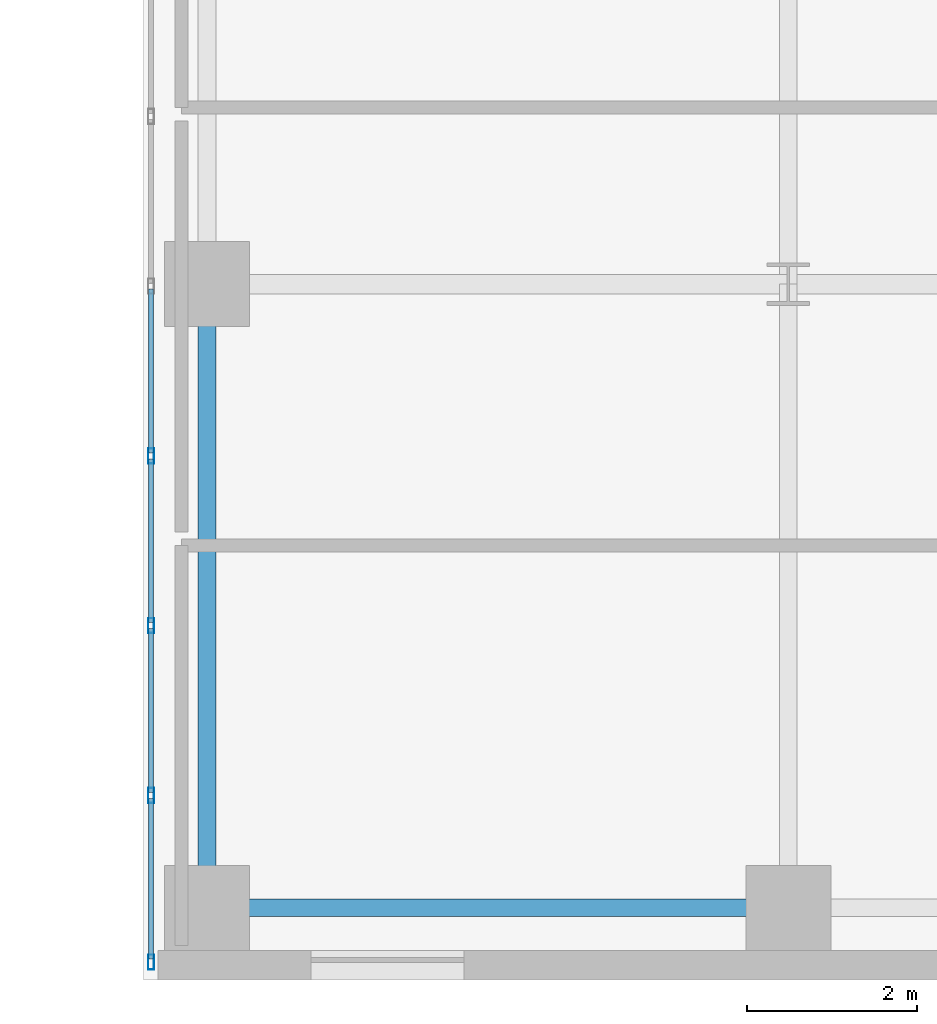
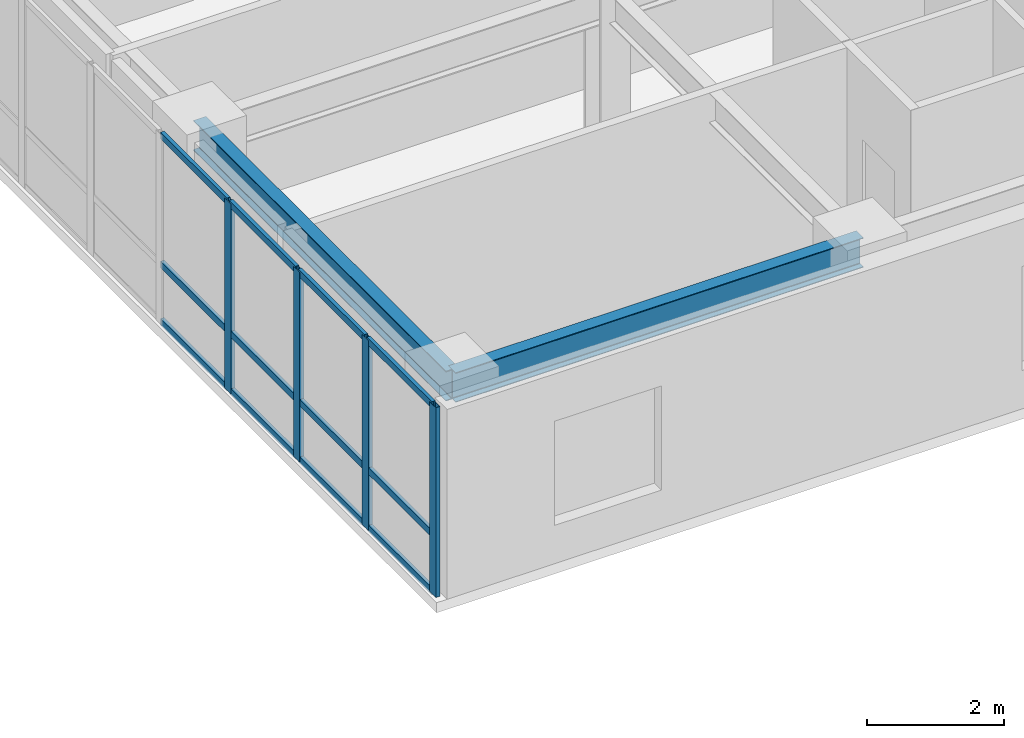
# One storey, part 5 of 17: 16 members, 2 beams, 1 element without a shape of its own.
"""IFC4 building model written with IfcOpenShell, lengths in metres."""

from ifc_helpers import new_model, si_unit, direction, frame, origin, origin_2d, place, context, subcontext, project, spatial, hollow_rectangle, i_section, extrude, source, transform, mapped, material, layer, layer_set, material_profile, profile_set, type_object, type_shapes, element, aggregate, save


model = new_model("IFC4")

# Units and contexts
model_context = context("Model", 3, precision=1e-05, world=origin(), true_north=direction((0.0, 1.0)))
body_context = subcontext(model_context, "Body", "Model", "MODEL_VIEW")
ifc_project = project(units=[si_unit("LENGTHUNIT", "METRE"), si_unit("AREAUNIT", "SQUARE_METRE"), si_unit("VOLUMEUNIT", "CUBIC_METRE"), si_unit("PLANEANGLEUNIT", "RADIAN"), si_unit("MASSUNIT", "GRAM", prefix="KILO")], contexts=[model_context])

# Site, building, storey
site_placement = place(None, origin())
site = spatial("IfcSite", under=ifc_project, at=site_placement, CompositionType="ELEMENT")
building_placement = place(site_placement, origin())
building = spatial("IfcBuilding", under=site, at=building_placement, Name="Tolvann Quenvar Hotel", CompositionType="ELEMENT")
storey_placement = place(building_placement, frame((0.0, 0.0, 49.75)))
storey = spatial("IfcBuildingStorey", under=building, at=storey_placement, Name="L11", CompositionType="ELEMENT", Elevation=49.75)

# Beams
ifc_material_1 = material(Name="Steel Grade 350", Category="steel")
ifc_material_profile_1 = material_profile(ifc_material_1, i_section(OverallWidth=0.208984375, OverallDepth=0.528076171875, WebThickness=0.009521484375, FlangeThickness=0.01318359375, FilletRadius=0.013916015625, at=origin_2d()), Name="530UB82")
ifc_profile_set_1 = profile_set([ifc_material_profile_1], Name="Steel Grade 350")
beam_type_1 = type_object("IfcBeamType", Name="BM_SPAND_530UB82", PredefinedType="SPANDREL", material=ifc_profile_set_1)
shared_shape_1 = source(origin(), body_context, "Body", "SweptSolid", [
    extrude(i_section(OverallWidth=0.208984375, OverallDepth=0.528076171875, WebThickness=0.009521484375, FlangeThickness=0.01318359375, FilletRadius=0.013916015625, at=origin_2d()), origin(), (0.0, 0.0, 1.0), 6.85009765625),
])
type_shapes(beam_type_1, [shared_shape_1])
beam_1_placement = place(storey_placement, frame((34.949951171875, 0.85009765625, 3.10595703125), z_axis=(1.0, 0.0, 0.0), x_axis=(0.0, 1.0, 0.0)))
element("IfcBeam", 1, at=beam_1_placement, inside=storey, type_object=beam_type_1, Name="BM-L11-EW-2-F2-H2", PredefinedType="SPANDREL", context=body_context, shape_type="MappedRepresentation", body=[
    mapped(shared_shape_1, transform((0.0, 0.0, 0.0), x_axis=(1.0, 0.0, 0.0), y_axis=(0.0, 1.0, 0.0), z_axis=(0.0, 0.0, 1.0), scale=1.0)),
])
ifc_material_profile_2 = material_profile(ifc_material_1, i_section(OverallWidth=0.208984375, OverallDepth=0.532958984375, WebThickness=0.01025390625, FlangeThickness=0.015625, FilletRadius=0.013916015625, at=origin_2d()), Name="530UB92")
ifc_profile_set_2 = profile_set([ifc_material_profile_2], Name="Steel Grade 350")
beam_type_2 = type_object("IfcBeamType", Name="BM_GIRD_530UB92", PredefinedType="BEAM", material=ifc_profile_set_2)
shared_shape_2 = source(origin(), body_context, "Body", "SweptSolid", [
    extrude(i_section(OverallWidth=0.208984375, OverallDepth=0.532958984375, WebThickness=0.01025390625, FlangeThickness=0.015625, FilletRadius=0.013916015625, at=origin_2d()), origin(), (0.0, 0.0, 1.0), 7.349853515625),
])
type_shapes(beam_type_2, [shared_shape_2])
beam_2_placement = place(storey_placement, frame((34.949951171875, 0.85009765625, 3.103515625), z_axis=(0.0, 1.0, 0.0), x_axis=(-1.0, 0.0, 0.0)))
element("IfcBeam", 2, at=beam_2_placement, inside=storey, type_object=beam_type_2, Name="BM-L11-NS-F2-F3", PredefinedType="BEAM", context=body_context, shape_type="MappedRepresentation", body=[
    mapped(shared_shape_2, transform((0.0, 0.0, 0.0), x_axis=(1.0, 0.0, 0.0), y_axis=(0.0, 1.0, 0.0), z_axis=(0.0, 0.0, 1.0), scale=1.0)),
])

# Curtain wall, members
ifc_material_2 = material(Name="Thermally broken anodised architectural aluminium 6063-T6 and laminated low-E glass", Category="aluminium")
ifc_layer = layer(ifc_material_2, 0.179931640625)
ifc_layer_set = layer_set([ifc_layer], Name="Thermally broken anodised architectural aluminium 6063-T6 and laminated low-E glass")
curtain_wall_type = type_object("IfcCurtainWallType", Name="CW_SYS_SLOT_03", PredefinedType="USERDEFINED", material=ifc_layer_set)
curtain_wall_placement = place(storey_placement, origin())
curtain_wall = element("IfcCurtainWall", 3, at=curtain_wall_placement, inside=storey, type_object=curtain_wall_type, Name="Curtain Wall CW-SLOT-03 (CWR-L11-E07)", ObjectType="UNITISED CURTAIN WALL", PredefinedType="USERDEFINED")
ifc_material_3 = material(Name="Anodised architectural aluminium 6063-T6 framing", Category="aluminium")
ifc_material_profile_3 = material_profile(ifc_material_3, hollow_rectangle(XDim=0.070068359375, YDim=0.179931640625, WallThickness=0.00390625, at=origin_2d()), Name="180x70x4RHS")
ifc_profile_set_3 = profile_set([ifc_material_profile_3], Name="Anodised architectural aluminium 6063-T6 framing")
member_type_1 = type_object("IfcMemberType", Name="CW_MULL_180x70", PredefinedType="MULLION", material=ifc_profile_set_3)
shared_shape_3 = source(origin(), body_context, "Body", "SweptSolid", [
    extrude(hollow_rectangle(XDim=0.070068359375, YDim=0.179931640625, WallThickness=0.00390625, at=origin_2d()), origin(), (0.0, 0.0, 1.0), 3.3701171875),
])
type_shapes(member_type_1, [shared_shape_3])
member_1_placement = place(storey_placement, frame((34.2900390625, 6.175048828125, 0.0), z_axis=(0.0, 0.0, 1.0), x_axis=(1.0, 0.0, 0.0)))
member_1 = element("IfcMember", 4, at=member_1_placement, type_object=member_type_1, Name="CW-SLOT-03 mullion 6", PredefinedType="MULLION", context=body_context, shape_type="MappedRepresentation", body=[
    mapped(shared_shape_3, transform((0.0, 0.0, 0.0), x_axis=(1.0, 0.0, 0.0), y_axis=(0.0, 1.0, 0.0), z_axis=(0.0, 0.0, 1.0), scale=1.0)),
])
member_2_placement = place(storey_placement, frame((34.2900390625, 4.175048828125, 0.0), z_axis=(0.0, 0.0, 1.0), x_axis=(1.0, 0.0, 0.0)))
member_2 = element("IfcMember", 5, at=member_2_placement, type_object=member_type_1, Name="CW-SLOT-03 mullion 7", PredefinedType="MULLION", context=body_context, shape_type="MappedRepresentation", body=[
    mapped(shared_shape_3, transform((0.0, 0.0, 0.0), x_axis=(1.0, 0.0, 0.0), y_axis=(0.0, 1.0, 0.0), z_axis=(0.0, 0.0, 1.0), scale=1.0)),
])
member_3_placement = place(storey_placement, frame((34.2900390625, 2.175048828125, 0.0), z_axis=(0.0, 0.0, 1.0), x_axis=(1.0, 0.0, 0.0)))
member_3 = element("IfcMember", 6, at=member_3_placement, type_object=member_type_1, Name="CW-SLOT-03 mullion 8", PredefinedType="MULLION", context=body_context, shape_type="MappedRepresentation", body=[
    mapped(shared_shape_3, transform((0.0, 0.0, 0.0), x_axis=(1.0, 0.0, 0.0), y_axis=(0.0, 1.0, 0.0), z_axis=(0.0, 0.0, 1.0), scale=1.0)),
])
member_4_placement = place(storey_placement, frame((34.2900390625, 0.2099609375, 0.0), z_axis=(0.0, 0.0, 1.0), x_axis=(1.0, 0.0, 0.0)))
member_4 = element("IfcMember", 7, at=member_4_placement, type_object=member_type_1, Name="CW-SLOT-03 mullion 9", PredefinedType="MULLION", context=body_context, shape_type="MappedRepresentation", body=[
    mapped(shared_shape_3, transform((0.0, 0.0, 0.0), x_axis=(1.0, 0.0, 0.0), y_axis=(0.0, 1.0, 0.0), z_axis=(0.0, 0.0, 1.0), scale=1.0)),
])
ifc_material_profile_4 = material_profile(ifc_material_3, hollow_rectangle(XDim=0.06005859375, YDim=0.1201171875, WallThickness=0.00341796875, at=origin_2d()), Name="120x60x3.5RHS")
ifc_profile_set_4 = profile_set([ifc_material_profile_4], Name="Anodised architectural aluminium 6063-T6 framing")
member_type_2 = type_object("IfcMemberType", Name="CW_TRAN_120x60", PredefinedType="USERDEFINED", material=ifc_profile_set_4)
shared_shape_4 = source(origin(), body_context, "Body", "SweptSolid", [
    extrude(hollow_rectangle(XDim=0.06005859375, YDim=0.1201171875, WallThickness=0.00341796875, at=origin_2d()), origin(), (0.0, 0.0, 1.0), 1.894775390625),
])
member_5_placement = place(storey_placement, frame((34.2900390625, 2.139892578125, 0.030029296875), z_axis=(0.0, -1.0, 0.0), x_axis=(1.0, 0.0, 0.0)))
member_5 = element("IfcMember", 8, at=member_5_placement, type_object=member_type_2, Name="CW-SLOT-03 transom 8.1", ObjectType="TRANSOM", PredefinedType="USERDEFINED", context=body_context, shape_type="MappedRepresentation", body=[
    mapped(shared_shape_4, transform((0.0, 0.0, 0.0), x_axis=(1.0, 0.0, 0.0), y_axis=(0.0, 1.0, 0.0), z_axis=(0.0, 0.0, 1.0), scale=1.0)),
])
member_6_placement = place(storey_placement, frame((34.2900390625, 2.139892578125, 1.050048828125), z_axis=(0.0, -1.0, 0.0), x_axis=(1.0, 0.0, 0.0)))
member_6 = element("IfcMember", 9, at=member_6_placement, type_object=member_type_2, Name="CW-SLOT-03 transom 8.2", ObjectType="TRANSOM", PredefinedType="USERDEFINED", context=body_context, shape_type="MappedRepresentation", body=[
    mapped(shared_shape_4, transform((0.0, 0.0, 0.0), x_axis=(1.0, 0.0, 0.0), y_axis=(0.0, 1.0, 0.0), z_axis=(0.0, 0.0, 1.0), scale=1.0)),
])
member_7_placement = place(storey_placement, frame((34.2900390625, 2.139892578125, 3.340087890625), z_axis=(0.0, -1.0, 0.0), x_axis=(1.0, 0.0, 0.0)))
member_7 = element("IfcMember", 10, at=member_7_placement, type_object=member_type_2, Name="CW-SLOT-03 transom 8.3", ObjectType="TRANSOM", PredefinedType="USERDEFINED", context=body_context, shape_type="MappedRepresentation", body=[
    mapped(shared_shape_4, transform((0.0, 0.0, 0.0), x_axis=(1.0, 0.0, 0.0), y_axis=(0.0, 1.0, 0.0), z_axis=(0.0, 0.0, 1.0), scale=1.0)),
])
shared_shape_5 = source(origin(), body_context, "Body", "SweptSolid", [
    extrude(hollow_rectangle(XDim=0.06005859375, YDim=0.1201171875, WallThickness=0.00341796875, at=origin_2d()), origin(), (0.0, 0.0, 1.0), 1.929931640625),
])
type_shapes(member_type_2, [shared_shape_4, shared_shape_5])
member_8_placement = place(storey_placement, frame((34.2900390625, 8.139892578125, 0.030029296875), z_axis=(0.0, -1.0, 0.0), x_axis=(1.0, 0.0, 0.0)))
member_8 = element("IfcMember", 11, at=member_8_placement, type_object=member_type_2, Name="CW-SLOT-03 transom 5.1", ObjectType="TRANSOM", PredefinedType="USERDEFINED", context=body_context, shape_type="MappedRepresentation", body=[
    mapped(shared_shape_5, transform((0.0, 0.0, 0.0), x_axis=(1.0, 0.0, 0.0), y_axis=(0.0, 1.0, 0.0), z_axis=(0.0, 0.0, 1.0), scale=1.0)),
])
member_9_placement = place(storey_placement, frame((34.2900390625, 8.139892578125, 1.050048828125), z_axis=(0.0, -1.0, 0.0), x_axis=(1.0, 0.0, 0.0)))
member_9 = element("IfcMember", 12, at=member_9_placement, type_object=member_type_2, Name="CW-SLOT-03 transom 5.2", ObjectType="TRANSOM", PredefinedType="USERDEFINED", context=body_context, shape_type="MappedRepresentation", body=[
    mapped(shared_shape_5, transform((0.0, 0.0, 0.0), x_axis=(1.0, 0.0, 0.0), y_axis=(0.0, 1.0, 0.0), z_axis=(0.0, 0.0, 1.0), scale=1.0)),
])
member_10_placement = place(storey_placement, frame((34.2900390625, 8.139892578125, 3.340087890625), z_axis=(0.0, -1.0, 0.0), x_axis=(1.0, 0.0, 0.0)))
member_10 = element("IfcMember", 13, at=member_10_placement, type_object=member_type_2, Name="CW-SLOT-03 transom 5.3", ObjectType="TRANSOM", PredefinedType="USERDEFINED", context=body_context, shape_type="MappedRepresentation", body=[
    mapped(shared_shape_5, transform((0.0, 0.0, 0.0), x_axis=(1.0, 0.0, 0.0), y_axis=(0.0, 1.0, 0.0), z_axis=(0.0, 0.0, 1.0), scale=1.0)),
])
member_11_placement = place(storey_placement, frame((34.2900390625, 6.139892578125, 0.030029296875), z_axis=(0.0, -1.0, 0.0), x_axis=(1.0, 0.0, 0.0)))
member_11 = element("IfcMember", 14, at=member_11_placement, type_object=member_type_2, Name="CW-SLOT-03 transom 6.1", ObjectType="TRANSOM", PredefinedType="USERDEFINED", context=body_context, shape_type="MappedRepresentation", body=[
    mapped(shared_shape_5, transform((0.0, 0.0, 0.0), x_axis=(1.0, 0.0, 0.0), y_axis=(0.0, 1.0, 0.0), z_axis=(0.0, 0.0, 1.0), scale=1.0)),
])
member_12_placement = place(storey_placement, frame((34.2900390625, 6.139892578125, 1.050048828125), z_axis=(0.0, -1.0, 0.0), x_axis=(1.0, 0.0, 0.0)))
member_12 = element("IfcMember", 15, at=member_12_placement, type_object=member_type_2, Name="CW-SLOT-03 transom 6.2", ObjectType="TRANSOM", PredefinedType="USERDEFINED", context=body_context, shape_type="MappedRepresentation", body=[
    mapped(shared_shape_5, transform((0.0, 0.0, 0.0), x_axis=(1.0, 0.0, 0.0), y_axis=(0.0, 1.0, 0.0), z_axis=(0.0, 0.0, 1.0), scale=1.0)),
])
member_13_placement = place(storey_placement, frame((34.2900390625, 6.139892578125, 3.340087890625), z_axis=(0.0, -1.0, 0.0), x_axis=(1.0, 0.0, 0.0)))
member_13 = element("IfcMember", 16, at=member_13_placement, type_object=member_type_2, Name="CW-SLOT-03 transom 6.3", ObjectType="TRANSOM", PredefinedType="USERDEFINED", context=body_context, shape_type="MappedRepresentation", body=[
    mapped(shared_shape_5, transform((0.0, 0.0, 0.0), x_axis=(1.0, 0.0, 0.0), y_axis=(0.0, 1.0, 0.0), z_axis=(0.0, 0.0, 1.0), scale=1.0)),
])
member_14_placement = place(storey_placement, frame((34.2900390625, 4.139892578125, 0.030029296875), z_axis=(0.0, -1.0, 0.0), x_axis=(1.0, 0.0, 0.0)))
member_14 = element("IfcMember", 17, at=member_14_placement, type_object=member_type_2, Name="CW-SLOT-03 transom 7.1", ObjectType="TRANSOM", PredefinedType="USERDEFINED", context=body_context, shape_type="MappedRepresentation", body=[
    mapped(shared_shape_5, transform((0.0, 0.0, 0.0), x_axis=(1.0, 0.0, 0.0), y_axis=(0.0, 1.0, 0.0), z_axis=(0.0, 0.0, 1.0), scale=1.0)),
])
member_15_placement = place(storey_placement, frame((34.2900390625, 4.139892578125, 1.050048828125), z_axis=(0.0, -1.0, 0.0), x_axis=(1.0, 0.0, 0.0)))
member_15 = element("IfcMember", 18, at=member_15_placement, type_object=member_type_2, Name="CW-SLOT-03 transom 7.2", ObjectType="TRANSOM", PredefinedType="USERDEFINED", context=body_context, shape_type="MappedRepresentation", body=[
    mapped(shared_shape_5, transform((0.0, 0.0, 0.0), x_axis=(1.0, 0.0, 0.0), y_axis=(0.0, 1.0, 0.0), z_axis=(0.0, 0.0, 1.0), scale=1.0)),
])
member_16_placement = place(storey_placement, frame((34.2900390625, 4.139892578125, 3.340087890625), z_axis=(0.0, -1.0, 0.0), x_axis=(1.0, 0.0, 0.0)))
member_16 = element("IfcMember", 19, at=member_16_placement, type_object=member_type_2, Name="CW-SLOT-03 transom 7.3", ObjectType="TRANSOM", PredefinedType="USERDEFINED", context=body_context, shape_type="MappedRepresentation", body=[
    mapped(shared_shape_5, transform((0.0, 0.0, 0.0), x_axis=(1.0, 0.0, 0.0), y_axis=(0.0, 1.0, 0.0), z_axis=(0.0, 0.0, 1.0), scale=1.0)),
])
aggregate(curtain_wall, [member_1, member_2, member_3, member_4, member_8, member_9, member_10, member_11, member_12, member_13, member_14, member_15, member_16, member_5, member_6, member_7])

save(model, "model.ifc")
